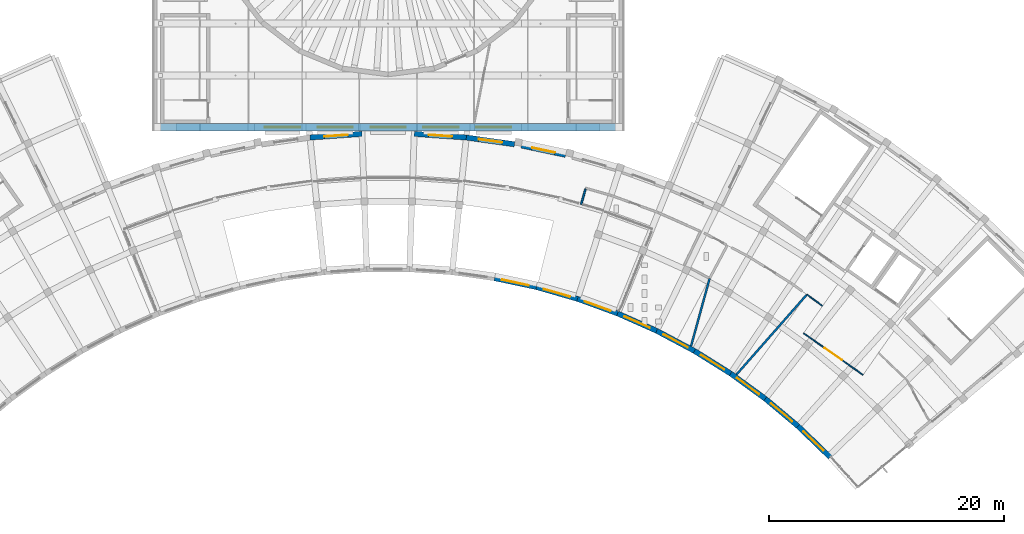
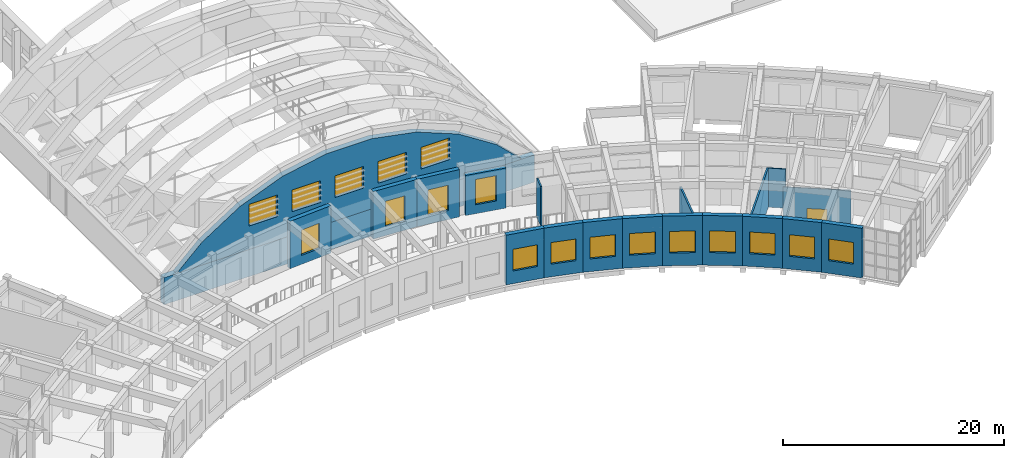
# One storey, part 62 of 94: 20 walls, 18 windows, 1 door, 19 openings.
"""IFC4 building model written with IfcOpenShell, lengths in metres."""

import ifcopenshell
import ifcopenshell.guid

model = None  # the IFC model being written
_history = None  # IfcOwnerHistory: only IFC2X3 demands one
_inside = {}  # id of a spatial element -> (the spatial element, [elements in it])
_under = {}  # id of a project, library or spatial element -> (it, [spatial elements below it])
_declared = {}  # id of a project -> (the project, [libraries it declares])
_typed = {}  # id of a type object -> (the type object, [elements of that type])
_made_of = {}  # id of a material, layer set ... -> (it, [elements and type objects made of it])


def new_model(schema):
    """Start an empty IFC model of exactly this schema.

    Asked for "IFC4X3", IfcOpenShell would pick the latest addendum, in which some entities
    have other attributes; the version numbers below select the first issue.
    IFC2X3 requires an IfcOwnerHistory on every rooted entity: one is made here for all.
    """
    global model, _history
    if schema == "IFC4X3":
        model = ifcopenshell.file(schema_version=(4, 3, 0, 0))
    else:
        model = ifcopenshell.file(schema=schema)
    _inside.clear()
    _under.clear()
    _declared.clear()
    _typed.clear()
    _made_of.clear()
    _history = None
    if model.schema == "IFC2X3":
        org = make("IfcOrganization", Name="unknown")
        user = make(
            "IfcPersonAndOrganization",
            ThePerson=make("IfcPerson", FamilyName="unknown"),
            TheOrganization=org,
        )
        app = make(
            "IfcApplication",
            ApplicationDeveloper=org,
            Version="unknown",
            ApplicationFullName="unknown",
            ApplicationIdentifier="unknown",
        )
        _history = make(
            "IfcOwnerHistory",
            OwningUser=user,
            OwningApplication=app,
            ChangeAction="ADDED",
            CreationDate=0,
        )
    return model


def make(cls, **values):
    """One entity of the class cls with the attributes given. An attribute that is None is left unset."""
    return model.create_entity(
        cls, **{name: value for name, value in values.items() if value is not None}
    )


def rooted(cls, **values):
    """An entity with a GlobalId (a new one), such as an element, a storey or a relation."""
    return make(cls, GlobalId=ifcopenshell.guid.new(), OwnerHistory=_history, **values)


def si_unit(unit_type, name, prefix=None):
    """IfcSIUnit, for example si_unit("LENGTHUNIT", "METRE", prefix="MILLI")."""
    return make("IfcSIUnit", UnitType=unit_type, Prefix=prefix, Name=name)


def assignment(units):
    """IfcUnitAssignment: the units of a project."""
    return None if units is None else make("IfcUnitAssignment", Units=units)


def point(xyz):
    """IfcCartesianPoint."""
    return None if xyz is None else make("IfcCartesianPoint", Coordinates=xyz)


def direction(xyz):
    """IfcDirection."""
    return None if xyz is None else make("IfcDirection", DirectionRatios=xyz)


def frame(location, z_axis=None, x_axis=None):
    """IfcAxis2Placement3D, a coordinate frame: its origin and axes. An axis left out is left unset."""
    return make(
        "IfcAxis2Placement3D",
        Location=point(location),
        Axis=direction(z_axis),
        RefDirection=direction(x_axis),
    )


def frame_2d(location, x_axis=None):
    """IfcAxis2Placement2D, a coordinate frame in the plane: its origin and x axis."""
    return make(
        "IfcAxis2Placement2D", Location=point(location), RefDirection=direction(x_axis)
    )


def origin():
    """The frame at (0, 0, 0) with its axes left unset."""
    return frame((0.0, 0.0, 0.0))


def place(relative_to, where):
    """IfcLocalPlacement: puts the frame where relative to a parent placement (None: the world)."""
    return make(
        "IfcLocalPlacement", PlacementRelTo=relative_to, RelativePlacement=where
    )


def context(
    kind, dimensions, precision=None, world=None, true_north=None, identifier=None
):
    """IfcGeometricRepresentationContext, for example the 3D "Model" context."""
    return make(
        "IfcGeometricRepresentationContext",
        ContextIdentifier=identifier,
        ContextType=kind,
        CoordinateSpaceDimension=dimensions,
        Precision=precision,
        WorldCoordinateSystem=world,
        TrueNorth=true_north,
    )


def subcontext(parent, identifier, kind, view, scale=None):
    """IfcGeometricRepresentationSubContext, for example "Body" below "Model"."""
    return make(
        "IfcGeometricRepresentationSubContext",
        ContextIdentifier=identifier,
        ContextType=kind,
        ParentContext=parent,
        TargetScale=scale,
        TargetView=view,
    )


def project(units=None, contexts=None):
    """IfcProject with its units and contexts."""
    return rooted(
        "IfcProject",
        Name="project",
        RepresentationContexts=contexts,
        UnitsInContext=assignment(units),
    )


def spatial(cls, under=None, at=None, **own):
    """A site, building, storey or space (cls), placed at a placement, below another one or the project."""
    s = rooted(cls, ObjectPlacement=at, **own)
    if under is not None:
        _under.setdefault(under.id(), (under, []))[1].append(s)
    return s


def polyline(points):
    """IfcPolyline through the points."""
    return make("IfcPolyline", Points=[point(p) for p in points])


def profile(cls, at=None, kind="AREA", **sizes):
    """A parametric profile (cls). Its sizes go by their IFC names, for example OverallWidth=200.0."""
    return make(cls, ProfileType=kind, Position=at, **sizes)


def rectangle(**sizes):
    """IfcRectangleProfileDef."""
    return profile("IfcRectangleProfileDef", **sizes)


def outline(outer, holes=None, kind="AREA"):
    """IfcArbitraryClosedProfileDef: a profile drawn as a closed curve; with holes, ...WithVoids."""
    if holes is None:
        return make("IfcArbitraryClosedProfileDef", ProfileType=kind, OuterCurve=outer)
    return make(
        "IfcArbitraryProfileDefWithVoids",
        ProfileType=kind,
        OuterCurve=outer,
        InnerCurves=holes,
    )


def extrude(swept, where, along, depth):
    """IfcExtrudedAreaSolid: the profile swept, set in the frame where, extruded along a direction by depth."""
    return make(
        "IfcExtrudedAreaSolid",
        SweptArea=swept,
        Position=where,
        ExtrudedDirection=direction(along),
        Depth=depth,
    )


def shape(context_of_items, identifier, shape_type, items):
    """IfcShapeRepresentation: the items that make up one representation, for example the "Body"."""
    return make(
        "IfcShapeRepresentation",
        ContextOfItems=context_of_items,
        RepresentationIdentifier=identifier,
        RepresentationType=shape_type,
        Items=items,
    )


def material(Name=None, Category=None):
    """IfcMaterial."""
    return make("IfcMaterial", Name=Name, Category=Category)


def layer(
    of_material, thickness, ventilated=None, Name=None, Category=None, Priority=None
):
    """IfcMaterialLayer: one layer of a wall or slab, of a material (None: an air gap)."""
    return make(
        "IfcMaterialLayer",
        Material=of_material,
        LayerThickness=thickness,
        IsVentilated=ventilated,
        Name=Name,
        Category=Category,
        Priority=Priority,
    )


def layer_set(layers, Name=None):
    """IfcMaterialLayerSet."""
    return make("IfcMaterialLayerSet", MaterialLayers=layers, LayerSetName=Name)


def made_of(thing, what):
    """Note that an element or type object is made of a material, layer set ...; save() writes the relation."""
    if what is not None:
        _made_of.setdefault(what.id(), (what, []))[1].append(thing)
    return thing


def type_object(cls, material=None, **own):
    """A type object (cls), such as IfcWallType, which elements share."""
    return made_of(rooted(cls, **own), material)


def element(
    cls,
    number,
    at=None,
    inside=None,
    cuts=None,
    type_object=None,
    material=None,
    context=None,
    identifier="Body",
    shape_type=None,
    held_by="IfcProductDefinitionShape",
    body=None,
    shapes=None,
    **own,
):
    """One element of the class cls, such as IfcWall. Its Tag is "e" and its number.

    at: its placement. inside: the storey or other place that contains it. cuts: it is an
    opening in that element (IfcRelVoidsElement). A single representation is given by context,
    identifier, shape_type and body (its items); several are given by shapes. held_by: the class
    of the entity that holds the representations. save() writes the other relations.
    """
    e = rooted(cls, Tag="e%d" % number, ObjectPlacement=at, **own)
    if body is not None:
        shapes = [shape(context, identifier, shape_type, body)]
    if shapes is not None:
        e.Representation = make(held_by, Representations=shapes)
    if inside is not None:
        _inside.setdefault(inside.id(), (inside, []))[1].append(e)
    if cuts is not None:
        rooted(
            "IfcRelVoidsElement", RelatingBuildingElement=cuts, RelatedOpeningElement=e
        )
    if type_object is not None:
        _typed.setdefault(type_object.id(), (type_object, []))[1].append(e)
    return made_of(e, material)


def fill(opening, filler):
    """IfcRelFillsElement: the door or window that sits in an opening."""
    return rooted(
        "IfcRelFillsElement",
        RelatingOpeningElement=opening,
        RelatedBuildingElement=filler,
    )


def aggregate(whole, parts):
    """IfcRelAggregates: a whole, such as a stair, and the parts it consists of."""
    return rooted("IfcRelAggregates", RelatingObject=whole, RelatedObjects=parts)


def save(model, path):
    """Write the relations noted so far, then the file.

    IfcRelAggregates (storeys below a building ...), IfcRelContainedInSpatialStructure (elements
    in a storey), IfcRelDefinesByType, IfcRelAssociatesMaterial and IfcRelDeclares: one each for
    every whole, place, type object, material and project.
    """
    for whole, parts in _under.values():
        aggregate(whole, parts)
    for where, things in _inside.values():
        rooted(
            "IfcRelContainedInSpatialStructure",
            RelatedElements=things,
            RelatingStructure=where,
        )
    for kind, things in _typed.values():
        rooted("IfcRelDefinesByType", RelatedObjects=things, RelatingType=kind)
    for what, things in _made_of.values():
        rooted("IfcRelAssociatesMaterial", RelatedObjects=things, RelatingMaterial=what)
    for by, libraries in _declared.values():
        rooted("IfcRelDeclares", RelatingContext=by, RelatedDefinitions=libraries)
    model.write(path)


model = new_model("IFC4")

# Units and contexts
model_context = context("Model", 3, precision=1e-05, world=origin(), true_north=direction((0.0, 1.0)))
body_context = subcontext(model_context, "Body", "Model", "MODEL_VIEW")
ifc_project = project(units=[si_unit("LENGTHUNIT", "METRE"), si_unit("AREAUNIT", "SQUARE_METRE"), si_unit("VOLUMEUNIT", "CUBIC_METRE"), si_unit("PLANEANGLEUNIT", "RADIAN"), si_unit("MASSUNIT", "GRAM", prefix="KILO")], contexts=[model_context])

# Site, building, storey
site_placement = place(None, origin())
site = spatial("IfcSite", under=ifc_project, at=site_placement, CompositionType="ELEMENT")
building_placement = place(site_placement, origin())
building = spatial("IfcBuilding", under=site, at=building_placement, Name="Lunette Opera House", CompositionType="ELEMENT")
storey_placement = place(building_placement, frame((0.0, 0.0, 22.5)))
storey = spatial("IfcBuildingStorey", under=building, at=storey_placement, Name="L04", CompositionType="ELEMENT", Elevation=22.5)

# Walls
ifc_material_1 = material(Name="Plastered clay blockwork", Category="masonry")
ifc_layer_1 = layer(ifc_material_1, 0.175048828125)
ifc_layer_set_1 = layer_set([ifc_layer_1], Name="Plastered clay blockwork")
wall_type_1 = type_object("IfcWallType", Name="ACOUSTIC BLOCK PARTITION 175", PredefinedType="PARTITIONING", material=ifc_layer_set_1)
wall_1_placement = place(storey_placement, frame((125.697021484375, 43.217041015625, 0.0), z_axis=(0.0, 0.0, 1.0), x_axis=(0.660652130462, 0.750692188927, 0.0)))
element("IfcWall", 1, at=wall_1_placement, inside=storey, type_object=wall_type_1, Name="Partition Restaurant Store", PredefinedType="PARTITIONING", context=body_context, shape_type="SweptSolid", body=[
    extrude(rectangle(XDim=9.08349609375, YDim=0.175048828125, at=frame_2d((4.541748046875, 0.0))), origin(), (0.0, 0.0, 1.0), 4.35009765625),
])
wall_2_placement = place(storey_placement, frame((123.408935546875, 51.4150390625, 0.0), z_axis=(0.0, 0.0, 1.0), x_axis=(-0.264341053294, -0.964429265184, 0.0)))
element("IfcWall", 2, at=wall_2_placement, inside=storey, type_object=wall_type_1, Name="Partition Restaurant Store", PredefinedType="PARTITIONING", context=body_context, shape_type="SweptSolid", body=[
    extrude(rectangle(XDim=5.9921875, YDim=0.175048828125, at=frame_2d((2.99609375, 0.0))), origin(), (0.0, 0.0, 1.0), 4.35009765625),
])

# Wall, opening, window
ifc_material_2 = material(Name="Clinker brick", Category="masonry")
ifc_layer_2 = layer(ifc_material_2, 0.449951171875)
ifc_layer_set_2 = layer_set([ifc_layer_2], Name="Clinker brick")
wall_type_2 = type_object("IfcWallType", Name="ARM REAR WALL 450", PredefinedType="SOLIDWALL", material=ifc_layer_set_2)
wall_3_placement = place(storey_placement, frame((111.133056640625, 61.944091796875, 0.0), z_axis=(0.0, 0.0, 1.0), x_axis=(-0.978200929598, 0.207660639826, 0.0)))
wall_3 = element("IfcWall", 3, at=wall_3_placement, inside=storey, type_object=wall_type_2, Name="Arm Rear Wall 450 F09 L04", PredefinedType="SOLIDWALL", context=body_context, shape_type="SweptSolid", body=[
    extrude(rectangle(XDim=3.8466796875, YDim=0.449951171875, at=frame_2d((1.92333984375, 0.0))), origin(), (0.0, 0.0, 1.0), 4.449951171875),
])
opening_1_placement = place(wall_3_placement, frame((0.924072265625, 0.0, 1.0)))
opening_1 = element("IfcOpeningElement", 4, at=opening_1_placement, cuts=wall_3, Name="Opening FC-N2199", PredefinedType="OPENING", context=body_context, shape_type="SweptSolid", body=[
    extrude(rectangle(XDim=2.0, YDim=2.800048828125, at=frame_2d((1.0, 1.39990234375))), frame((0.0, 0.237060546875, 0.0), z_axis=(0.0, -1.0, 0.0), x_axis=(1.0, 0.0, 0.0)), (0.0, 0.0, 1.0), 0.473876953125),
])
ifc_material_3 = material(Name="Aluminium", Category="aluminium")
window_type_1 = type_object("IfcWindowType", Name="ARM WINDOW 2000 X 2800", PartitioningType="DOUBLE_PANEL_VERTICAL", PredefinedType="WINDOW", material=ifc_material_3)
window_1_placement = place(opening_1_placement, origin())
window_1 = element("IfcWindow", 5, at=window_1_placement, inside=storey, type_object=window_type_1, Name="Arm Window 2000 X 2800 F09 L04", OverallHeight=2.800048828125, OverallWidth=2.0, PartitioningType="DOUBLE_PANEL_VERTICAL", PredefinedType="WINDOW", context=body_context, shape_type="SweptSolid", body=[
    extrude(rectangle(XDim=2.0, YDim=2.800048828125, at=frame_2d((1.0, 1.39990234375))), frame((0.0, 0.030029296875, 0.0), z_axis=(0.0, -1.0, 0.0), x_axis=(1.0, 0.0, 0.0)), (0.0, 0.0, 1.0), 0.06005859375),
])
fill(opening_1, window_1)

wall_4_placement = place(storey_placement, frame((106.77392578125, 62.847900390625, 0.0), z_axis=(0.0, 0.0, 1.0), x_axis=(-0.990274070761, 0.13913038769, 0.0)))
wall_4 = element("IfcWall", 6, at=wall_4_placement, inside=storey, type_object=wall_type_2, Name="Arm Rear Wall 450 F10 L04", PredefinedType="SOLIDWALL", context=body_context, shape_type="SweptSolid", body=[
    extrude(rectangle(XDim=4.148193359375, YDim=0.449951171875, at=frame_2d((2.07421875, 0.0))), origin(), (0.0, 0.0, 1.0), 5.25),
])
opening_2_placement = place(wall_4_placement, frame((1.073974609375, 0.0, 1.0)))
opening_2 = element("IfcOpeningElement", 7, at=opening_2_placement, cuts=wall_4, Name="Opening FC-N2200", PredefinedType="OPENING", context=body_context, shape_type="SweptSolid", body=[
    extrude(rectangle(XDim=2.0, YDim=2.800048828125, at=frame_2d((1.0, 1.39990234375))), frame((0.0, 0.237060546875, 0.0), z_axis=(0.0, -1.0, 0.0), x_axis=(1.0, 0.0, 0.0)), (0.0, 0.0, 1.0), 0.473876953125),
])
window_2_placement = place(opening_2_placement, origin())
window_2 = element("IfcWindow", 8, at=window_2_placement, inside=storey, type_object=window_type_1, Name="Arm Window 2000 X 2800 F10 L04", OverallHeight=2.800048828125, OverallWidth=2.0, PartitioningType="DOUBLE_PANEL_VERTICAL", PredefinedType="WINDOW", context=body_context, shape_type="SweptSolid", body=[
    extrude(rectangle(XDim=2.0, YDim=2.800048828125, at=frame_2d((1.0, 1.39990234375))), frame((0.0, 0.030029296875, 0.0), z_axis=(0.0, -1.0, 0.0), x_axis=(1.0, 0.0, 0.0)), (0.0, 0.0, 1.0), 0.06005859375),
])
fill(opening_2, window_2)

wall_5_placement = place(storey_placement, frame((102.666015625, 63.425048828125, 0.0), z_axis=(0.0, 0.0, 1.0), x_axis=(-0.997555221145, 0.069882621343, 0.0)))
wall_5 = element("IfcWall", 9, at=wall_5_placement, inside=storey, type_object=wall_type_2, Name="Arm Rear Wall 450 F11 L04", PredefinedType="SOLIDWALL", context=body_context, shape_type="SweptSolid", body=[
    extrude(rectangle(XDim=4.450927734375, YDim=0.449951171875, at=frame_2d((2.2255859375, 0.0))), origin(), (0.0, 0.0, 1.0), 5.25),
])
opening_3_placement = place(wall_5_placement, frame((1.22509765625, 0.0, 1.0)))
opening_3 = element("IfcOpeningElement", 10, at=opening_3_placement, cuts=wall_5, Name="Opening FC-N2201", PredefinedType="OPENING", context=body_context, shape_type="SweptSolid", body=[
    extrude(rectangle(XDim=2.0, YDim=2.800048828125, at=frame_2d((1.0, 1.39990234375))), frame((0.0, 0.237060546875, 0.0), z_axis=(0.0, -1.0, 0.0), x_axis=(1.0, 0.0, 0.0)), (0.0, 0.0, 1.0), 0.473876953125),
])
window_3_placement = place(opening_3_placement, origin())
window_3 = element("IfcWindow", 11, at=window_3_placement, inside=storey, type_object=window_type_1, Name="Arm Window 2000 X 2800 F11 L04", OverallHeight=2.800048828125, OverallWidth=2.0, PartitioningType="DOUBLE_PANEL_VERTICAL", PredefinedType="WINDOW", context=body_context, shape_type="SweptSolid", body=[
    extrude(rectangle(XDim=2.0, YDim=2.800048828125, at=frame_2d((1.0, 1.39990234375))), frame((0.0, 0.030029296875, 0.0), z_axis=(0.0, -1.0, 0.0), x_axis=(1.0, 0.0, 0.0)), (0.0, 0.0, 1.0), 0.06005859375),
])
fill(opening_3, window_3)

wall_6_placement = place(storey_placement, frame((93.77392578125, 63.736083984375, 0.0), z_axis=(0.0, 0.0, 1.0), x_axis=(-0.997555221145, -0.069882621343, 0.0)))
wall_6 = element("IfcWall", 12, at=wall_6_placement, inside=storey, type_object=wall_type_2, Name="Arm Rear Wall 450 F12 L04", PredefinedType="SOLIDWALL", context=body_context, shape_type="SweptSolid", body=[
    extrude(rectangle(XDim=4.450927734375, YDim=0.449951171875, at=frame_2d((2.2255859375, 0.0))), origin(), (0.0, 0.0, 1.0), 5.25),
])
opening_4_placement = place(wall_6_placement, frame((1.22509765625, 0.0, 1.0)))
opening_4 = element("IfcOpeningElement", 13, at=opening_4_placement, cuts=wall_6, Name="Opening FC-N2202", PredefinedType="OPENING", context=body_context, shape_type="SweptSolid", body=[
    extrude(rectangle(XDim=2.0, YDim=2.800048828125, at=frame_2d((1.0, 1.39990234375))), frame((0.0, 0.237060546875, 0.0), z_axis=(0.0, -1.0, 0.0), x_axis=(1.0, 0.0, 0.0)), (0.0, 0.0, 1.0), 0.473876953125),
])
window_4_placement = place(opening_4_placement, origin())
window_4 = element("IfcWindow", 14, at=window_4_placement, inside=storey, type_object=window_type_1, Name="Arm Window 2000 X 2800 F12 L04", OverallHeight=2.800048828125, OverallWidth=2.0, PartitioningType="DOUBLE_PANEL_VERTICAL", PredefinedType="WINDOW", context=body_context, shape_type="SweptSolid", body=[
    extrude(rectangle(XDim=2.0, YDim=2.800048828125, at=frame_2d((1.0, 1.39990234375))), frame((0.0, 0.030029296875, 0.0), z_axis=(0.0, -1.0, 0.0), x_axis=(1.0, 0.0, 0.0)), (0.0, 0.0, 1.0), 0.06005859375),
])
fill(opening_4, window_4)

# Wall
ifc_material_4 = material(Name="Plastered clay blockwork", Category="masonry")
ifc_layer_3 = layer(ifc_material_4, 0.14990234375)
ifc_layer_set_3 = layer_set([ifc_layer_3], Name="Plastered clay blockwork")
wall_type_3 = type_object("IfcWallType", Name="BLOCK PARTITION 150", PredefinedType="PARTITIONING", material=ifc_layer_set_3)
wall_7_placement = place(storey_placement, frame((112.826904296875, 59.034912109375, 0.0), z_axis=(0.0, 0.0, 1.0), x_axis=(-0.273969155997, -0.961738478778, 0.0)))
element("IfcWall", 15, at=wall_7_placement, inside=storey, type_object=wall_type_3, Name="Partition Public WC L04", PredefinedType="PARTITIONING", context=body_context, shape_type="SweptSolid", body=[
    extrude(rectangle(XDim=1.372314453125, YDim=0.14990234375, at=frame_2d((0.68603515625, 0.0))), origin(), (0.0, 0.0, 1.0), 4.35009765625),
])

# Wall, opening, window
ifc_material_5 = material(Name="Clinker brick", Category="masonry")
ifc_layer_4 = layer(ifc_material_5, 0.449951171875)
ifc_layer_set_4 = layer_set([ifc_layer_4], Name="Clinker brick")
wall_type_4 = type_object("IfcWallType", Name="CRESCENT BRICK WALL 450", PredefinedType="SOLIDWALL", material=ifc_layer_set_4)
wall_8_placement = place(storey_placement, frame((105.069091796875, 51.431884765625, 0.0), z_axis=(0.0, 0.0, 1.0), x_axis=(0.97814420729, -0.207927655077, 0.0)))
wall_8 = element("IfcWall", 16, at=wall_8_placement, inside=storey, type_object=wall_type_4, Name="Crescent Brick Wall 450 BW-A15 L04", PredefinedType="SOLIDWALL", context=body_context, shape_type="SweptSolid", body=[
    extrude(rectangle(XDim=3.64453125, YDim=0.449951171875, at=frame_2d((1.822265625, 0.0))), origin(), (0.0, 0.0, 1.0), 5.5),
])
opening_5_placement = place(wall_8_placement, frame((0.653076171875, 0.0, 1.39990234375)))
opening_5 = element("IfcOpeningElement", 17, at=opening_5_placement, cuts=wall_8, Name="Opening FC-N2045", PredefinedType="OPENING", context=body_context, shape_type="SweptSolid", body=[
    extrude(rectangle(XDim=2.340087890625, YDim=2.39990234375, at=frame_2d((1.169921875, 1.199951171875))), frame((0.0, 0.237060546875, 0.0), z_axis=(0.0, -1.0, 0.0), x_axis=(1.0, 0.0, 0.0)), (0.0, 0.0, 1.0), 0.473876953125),
])
ifc_material_6 = material(Name="Aluminium", Category="aluminium")
window_type_2 = type_object("IfcWindowType", Name="CHICAGO WINDOW 2340 X 2400", PartitioningType="TRIPLE_PANEL_VERTICAL", PredefinedType="WINDOW", material=ifc_material_6)
window_5_placement = place(opening_5_placement, origin())
window_5 = element("IfcWindow", 18, at=window_5_placement, inside=storey, type_object=window_type_2, Name="Chicago Window 2340 X 2400 BW-A15 L04", OverallHeight=2.39990234375, OverallWidth=2.340087890625, PartitioningType="TRIPLE_PANEL_VERTICAL", PredefinedType="WINDOW", context=body_context, shape_type="SweptSolid", body=[
    extrude(rectangle(XDim=2.340087890625, YDim=2.39990234375, at=frame_2d((1.169921875, 1.199951171875))), frame((0.0, 0.030029296875, 0.0), z_axis=(0.0, -1.0, 0.0), x_axis=(1.0, 0.0, 0.0)), (0.0, 0.0, 1.0), 0.06005859375),
])
fill(opening_5, window_5)

wall_9_placement = place(storey_placement, frame((108.634033203125, 50.674072265625, 0.0), z_axis=(0.0, 0.0, 1.0), x_axis=(0.961232761004, -0.275738243942, 0.0)))
wall_9 = element("IfcWall", 19, at=wall_9_placement, inside=storey, type_object=wall_type_4, Name="Crescent Brick Wall 450 BW-A16 L04", PredefinedType="SOLIDWALL", context=body_context, shape_type="SweptSolid", body=[
    extrude(rectangle(XDim=3.645263671875, YDim=0.449951171875, at=frame_2d((1.82275390625, 0.0))), origin(), (0.0, 0.0, 1.0), 5.5),
])
opening_6_placement = place(wall_9_placement, frame((0.653076171875, 0.0, 1.39990234375)))
opening_6 = element("IfcOpeningElement", 20, at=opening_6_placement, cuts=wall_9, Name="Opening FC-N2048", PredefinedType="OPENING", context=body_context, shape_type="SweptSolid", body=[
    extrude(rectangle(XDim=2.340087890625, YDim=2.39990234375, at=frame_2d((1.169921875, 1.199951171875))), frame((0.0, 0.237060546875, 0.0), z_axis=(0.0, -1.0, 0.0), x_axis=(1.0, 0.0, 0.0)), (0.0, 0.0, 1.0), 0.473876953125),
])
window_6_placement = place(opening_6_placement, origin())
window_6 = element("IfcWindow", 21, at=window_6_placement, inside=storey, type_object=window_type_2, Name="Chicago Window 2340 X 2400 BW-A16 L04", OverallHeight=2.39990234375, OverallWidth=2.340087890625, PartitioningType="TRIPLE_PANEL_VERTICAL", PredefinedType="WINDOW", context=body_context, shape_type="SweptSolid", body=[
    extrude(rectangle(XDim=2.340087890625, YDim=2.39990234375, at=frame_2d((1.169921875, 1.199951171875))), frame((0.0, 0.030029296875, 0.0), z_axis=(0.0, -1.0, 0.0), x_axis=(1.0, 0.0, 0.0)), (0.0, 0.0, 1.0), 0.06005859375),
])
fill(opening_6, window_6)

wall_10_placement = place(storey_placement, frame((112.137939453125, 49.6689453125, 0.0), z_axis=(0.0, 0.0, 1.0), x_axis=(0.939705410483, -0.341985001877, 0.0)))
wall_10 = element("IfcWall", 22, at=wall_10_placement, inside=storey, type_object=wall_type_4, Name="Crescent Brick Wall 450 BW-A17 L04", PredefinedType="SOLIDWALL", context=body_context, shape_type="SweptSolid", body=[
    extrude(rectangle(XDim=3.645751953125, YDim=0.449951171875, at=frame_2d((1.82275390625, 0.0))), origin(), (0.0, 0.0, 1.0), 5.5),
])
opening_7_placement = place(wall_10_placement, frame((0.653076171875, 0.0, 1.39990234375)))
opening_7 = element("IfcOpeningElement", 23, at=opening_7_placement, cuts=wall_10, Name="Opening FC-N2051", PredefinedType="OPENING", context=body_context, shape_type="SweptSolid", body=[
    extrude(rectangle(XDim=2.340087890625, YDim=2.39990234375, at=frame_2d((1.169921875, 1.199951171875))), frame((0.0, 0.237060546875, 0.0), z_axis=(0.0, -1.0, 0.0), x_axis=(1.0, 0.0, 0.0)), (0.0, 0.0, 1.0), 0.473876953125),
])
window_7_placement = place(opening_7_placement, origin())
window_7 = element("IfcWindow", 24, at=window_7_placement, inside=storey, type_object=window_type_2, Name="Chicago Window 2340 X 2400 BW-A17 L04", OverallHeight=2.39990234375, OverallWidth=2.340087890625, PartitioningType="TRIPLE_PANEL_VERTICAL", PredefinedType="WINDOW", context=body_context, shape_type="SweptSolid", body=[
    extrude(rectangle(XDim=2.340087890625, YDim=2.39990234375, at=frame_2d((1.169921875, 1.199951171875))), frame((0.0, 0.030029296875, 0.0), z_axis=(0.0, -1.0, 0.0), x_axis=(1.0, 0.0, 0.0)), (0.0, 0.0, 1.0), 0.06005859375),
])
fill(opening_7, window_7)

wall_11_placement = place(storey_placement, frame((115.56396484375, 48.422119140625, 0.0), z_axis=(0.0, 0.0, 1.0), x_axis=(0.913593217191, -0.40662935642, 0.0)))
wall_11 = element("IfcWall", 25, at=wall_11_placement, inside=storey, type_object=wall_type_4, Name="Crescent Brick Wall 450 BW-A18 L04", PredefinedType="SOLIDWALL", context=body_context, shape_type="SweptSolid", body=[
    extrude(rectangle(XDim=3.64501953125, YDim=0.449951171875, at=frame_2d((1.822509765625, 0.0))), origin(), (0.0, 0.0, 1.0), 5.5),
])
opening_8_placement = place(wall_11_placement, frame((0.653076171875, 0.0, 1.39990234375)))
opening_8 = element("IfcOpeningElement", 26, at=opening_8_placement, cuts=wall_11, Name="Opening FC-N2054", PredefinedType="OPENING", context=body_context, shape_type="SweptSolid", body=[
    extrude(rectangle(XDim=2.340087890625, YDim=2.39990234375, at=frame_2d((1.169921875, 1.199951171875))), frame((0.0, 0.237060546875, 0.0), z_axis=(0.0, -1.0, 0.0), x_axis=(1.0, 0.0, 0.0)), (0.0, 0.0, 1.0), 0.473876953125),
])
window_8_placement = place(opening_8_placement, origin())
window_8 = element("IfcWindow", 27, at=window_8_placement, inside=storey, type_object=window_type_2, Name="Chicago Window 2340 X 2400 BW-A18 L04", OverallHeight=2.39990234375, OverallWidth=2.340087890625, PartitioningType="TRIPLE_PANEL_VERTICAL", PredefinedType="WINDOW", context=body_context, shape_type="SweptSolid", body=[
    extrude(rectangle(XDim=2.340087890625, YDim=2.39990234375, at=frame_2d((1.169921875, 1.199951171875))), frame((0.0, 0.030029296875, 0.0), z_axis=(0.0, -1.0, 0.0), x_axis=(1.0, 0.0, 0.0)), (0.0, 0.0, 1.0), 0.06005859375),
])
fill(opening_8, window_8)

wall_12_placement = place(storey_placement, frame((118.89404296875, 46.93994140625, 0.0), z_axis=(0.0, 0.0, 1.0), x_axis=(0.882849344925, -0.469656293651, 0.0)))
wall_12 = element("IfcWall", 28, at=wall_12_placement, inside=storey, type_object=wall_type_4, Name="Crescent Brick Wall 450 BW-A19 L04", PredefinedType="SOLIDWALL", context=body_context, shape_type="SweptSolid", body=[
    extrude(rectangle(XDim=3.64501953125, YDim=0.449951171875, at=frame_2d((1.822509765625, 0.0))), origin(), (0.0, 0.0, 1.0), 5.5),
])
opening_9_placement = place(wall_12_placement, frame((0.653076171875, 0.0, 1.39990234375)))
opening_9 = element("IfcOpeningElement", 29, at=opening_9_placement, cuts=wall_12, Name="Opening FC-N2057", PredefinedType="OPENING", context=body_context, shape_type="SweptSolid", body=[
    extrude(rectangle(XDim=2.340087890625, YDim=2.39990234375, at=frame_2d((1.169921875, 1.199951171875))), frame((0.0, 0.237060546875, 0.0), z_axis=(0.0, -1.0, 0.0), x_axis=(1.0, 0.0, 0.0)), (0.0, 0.0, 1.0), 0.473876953125),
])
window_9_placement = place(opening_9_placement, origin())
window_9 = element("IfcWindow", 30, at=window_9_placement, inside=storey, type_object=window_type_2, Name="Chicago Window 2340 X 2400 BW-A19 L04", OverallHeight=2.39990234375, OverallWidth=2.340087890625, PartitioningType="TRIPLE_PANEL_VERTICAL", PredefinedType="WINDOW", context=body_context, shape_type="SweptSolid", body=[
    extrude(rectangle(XDim=2.340087890625, YDim=2.39990234375, at=frame_2d((1.169921875, 1.199951171875))), frame((0.0, 0.030029296875, 0.0), z_axis=(0.0, -1.0, 0.0), x_axis=(1.0, 0.0, 0.0)), (0.0, 0.0, 1.0), 0.06005859375),
])
fill(opening_9, window_9)

wall_13_placement = place(storey_placement, frame((122.112060546875, 45.22802734375, 0.0), z_axis=(0.0, 0.0, 1.0), x_axis=(0.848047203697, -0.529920692464, 0.0)))
wall_13 = element("IfcWall", 31, at=wall_13_placement, inside=storey, type_object=wall_type_4, Name="Crescent Brick Wall 450 BW-A20 L04", PredefinedType="SOLIDWALL", context=body_context, shape_type="SweptSolid", body=[
    extrude(rectangle(XDim=3.64599609375, YDim=0.449951171875, at=frame_2d((1.822998046875, 0.0))), origin(), (0.0, 0.0, 1.0), 5.5),
])
opening_10_placement = place(wall_13_placement, frame((0.653076171875, 0.0, 1.39990234375)))
opening_10 = element("IfcOpeningElement", 32, at=opening_10_placement, cuts=wall_13, Name="Opening FC-N2060", PredefinedType="OPENING", context=body_context, shape_type="SweptSolid", body=[
    extrude(rectangle(XDim=2.340087890625, YDim=2.39990234375, at=frame_2d((1.169921875, 1.199951171875))), frame((0.0, 0.237060546875, 0.0), z_axis=(0.0, -1.0, 0.0), x_axis=(1.0, 0.0, 0.0)), (0.0, 0.0, 1.0), 0.473876953125),
])
window_10_placement = place(opening_10_placement, origin())
window_10 = element("IfcWindow", 33, at=window_10_placement, inside=storey, type_object=window_type_2, Name="Chicago Window 2340 X 2400 BW-A20 L04", OverallHeight=2.39990234375, OverallWidth=2.340087890625, PartitioningType="TRIPLE_PANEL_VERTICAL", PredefinedType="WINDOW", context=body_context, shape_type="SweptSolid", body=[
    extrude(rectangle(XDim=2.340087890625, YDim=2.39990234375, at=frame_2d((1.169921875, 1.199951171875))), frame((0.0, 0.030029296875, 0.0), z_axis=(0.0, -1.0, 0.0), x_axis=(1.0, 0.0, 0.0)), (0.0, 0.0, 1.0), 0.06005859375),
])
fill(opening_10, window_10)

wall_14_placement = place(storey_placement, frame((125.2041015625, 43.2958984375, 0.0), z_axis=(0.0, 0.0, 1.0), x_axis=(0.809109587744, -0.58765778734, 0.0)))
wall_14 = element("IfcWall", 34, at=wall_14_placement, inside=storey, type_object=wall_type_4, Name="Crescent Brick Wall 450 BW-A21 L04", PredefinedType="SOLIDWALL", context=body_context, shape_type="SweptSolid", body=[
    extrude(rectangle(XDim=3.644775390625, YDim=0.449951171875, at=frame_2d((1.822265625, 0.0))), origin(), (0.0, 0.0, 1.0), 5.5),
])
opening_11_placement = place(wall_14_placement, frame((0.653076171875, 0.0, 1.39990234375)))
opening_11 = element("IfcOpeningElement", 35, at=opening_11_placement, cuts=wall_14, Name="Opening FC-N2063", PredefinedType="OPENING", context=body_context, shape_type="SweptSolid", body=[
    extrude(rectangle(XDim=2.340087890625, YDim=2.39990234375, at=frame_2d((1.169921875, 1.199951171875))), frame((0.0, 0.237060546875, 0.0), z_axis=(0.0, -1.0, 0.0), x_axis=(1.0, 0.0, 0.0)), (0.0, 0.0, 1.0), 0.473876953125),
])
window_11_placement = place(opening_11_placement, origin())
window_11 = element("IfcWindow", 36, at=window_11_placement, inside=storey, type_object=window_type_2, Name="Chicago Window 2340 X 2400 BW-A21 L04", OverallHeight=2.39990234375, OverallWidth=2.340087890625, PartitioningType="TRIPLE_PANEL_VERTICAL", PredefinedType="WINDOW", context=body_context, shape_type="SweptSolid", body=[
    extrude(rectangle(XDim=2.340087890625, YDim=2.39990234375, at=frame_2d((1.169921875, 1.199951171875))), frame((0.0, 0.030029296875, 0.0), z_axis=(0.0, -1.0, 0.0), x_axis=(1.0, 0.0, 0.0)), (0.0, 0.0, 1.0), 0.06005859375),
])
fill(opening_11, window_11)

wall_15_placement = place(storey_placement, frame((128.153076171875, 41.154052734375, 0.0), z_axis=(0.0, 0.0, 1.0), x_axis=(0.766009592259, -0.642829141038, 0.0)))
wall_15 = element("IfcWall", 37, at=wall_15_placement, inside=storey, type_object=wall_type_4, Name="Crescent Brick Wall 450 BW-A22 L04", PredefinedType="SOLIDWALL", context=body_context, shape_type="SweptSolid", body=[
    extrude(rectangle(XDim=3.644775390625, YDim=0.449951171875, at=frame_2d((1.822265625, 0.0))), origin(), (0.0, 0.0, 1.0), 5.5),
])
opening_12_placement = place(wall_15_placement, frame((0.653076171875, 0.0, 1.39990234375)))
opening_12 = element("IfcOpeningElement", 38, at=opening_12_placement, cuts=wall_15, Name="Opening FC-N2066", PredefinedType="OPENING", context=body_context, shape_type="SweptSolid", body=[
    extrude(rectangle(XDim=2.340087890625, YDim=2.39990234375, at=frame_2d((1.169921875, 1.199951171875))), frame((0.0, 0.237060546875, 0.0), z_axis=(0.0, -1.0, 0.0), x_axis=(1.0, 0.0, 0.0)), (0.0, 0.0, 1.0), 0.473876953125),
])
window_12_placement = place(opening_12_placement, origin())
window_12 = element("IfcWindow", 39, at=window_12_placement, inside=storey, type_object=window_type_2, Name="Chicago Window 2340 X 2400 BW-A22 L04", OverallHeight=2.39990234375, OverallWidth=2.340087890625, PartitioningType="TRIPLE_PANEL_VERTICAL", PredefinedType="WINDOW", context=body_context, shape_type="SweptSolid", body=[
    extrude(rectangle(XDim=2.340087890625, YDim=2.39990234375, at=frame_2d((1.169921875, 1.199951171875))), frame((0.0, 0.030029296875, 0.0), z_axis=(0.0, -1.0, 0.0), x_axis=(1.0, 0.0, 0.0)), (0.0, 0.0, 1.0), 0.06005859375),
])
fill(opening_12, window_12)

wall_16_placement = place(storey_placement, frame((130.945068359375, 38.81103515625, 0.0), z_axis=(0.0, 0.0, 1.0), x_axis=(0.719395911917, -0.694600260522, 0.0)))
wall_16 = element("IfcWall", 40, at=wall_16_placement, inside=storey, type_object=wall_type_4, Name="Crescent Brick Wall 450 BW-A23 L04", PredefinedType="SOLIDWALL", context=body_context, shape_type="SweptSolid", body=[
    extrude(rectangle(XDim=3.790771484375, YDim=0.449951171875, at=frame_2d((1.8955078125, 0.0))), origin(), (0.0, 0.0, 1.0), 5.5),
])
opening_13_placement = place(wall_16_placement, frame((0.653076171875, 0.0, 1.39990234375)))
opening_13 = element("IfcOpeningElement", 41, at=opening_13_placement, cuts=wall_16, Name="Opening FC-N2069", PredefinedType="OPENING", context=body_context, shape_type="SweptSolid", body=[
    extrude(rectangle(XDim=2.340087890625, YDim=2.39990234375, at=frame_2d((1.169921875, 1.199951171875))), frame((0.0, 0.237060546875, 0.0), z_axis=(0.0, -1.0, 0.0), x_axis=(1.0, 0.0, 0.0)), (0.0, 0.0, 1.0), 0.473876953125),
])
window_13_placement = place(opening_13_placement, origin())
window_13 = element("IfcWindow", 42, at=window_13_placement, inside=storey, type_object=window_type_2, Name="Chicago Window 2340 X 2400 BW-A23 L04", OverallHeight=2.39990234375, OverallWidth=2.340087890625, PartitioningType="TRIPLE_PANEL_VERTICAL", PredefinedType="WINDOW", context=body_context, shape_type="SweptSolid", body=[
    extrude(rectangle(XDim=2.340087890625, YDim=2.39990234375, at=frame_2d((1.169921875, 1.199951171875))), frame((0.0, 0.030029296875, 0.0), z_axis=(0.0, -1.0, 0.0), x_axis=(1.0, 0.0, 0.0)), (0.0, 0.0, 1.0), 0.06005859375),
])
fill(opening_13, window_13)

# Wall
ifc_material_7 = material(Name="Concrete C35/45", Category="concrete")
ifc_layer_5 = layer(ifc_material_7, 0.60009765625)
ifc_layer_set_5 = layer_set([ifc_layer_5], Name="Concrete C35/45")
wall_type_5 = type_object("IfcWallType", Name="RC WALL 600", PredefinedType="SHEAR", material=ifc_layer_set_5)
wall_17_placement = place(storey_placement, frame((76.60009765625, 64.300048828125, 0.0), z_axis=(0.0, 0.0, 1.0), x_axis=(1.0, 0.0, 0.0)))
element("IfcWall", 43, at=wall_17_placement, inside=storey, type_object=wall_type_5, Name="wall-AU-L04-WS", PredefinedType="SHEAR", context=body_context, shape_type="SweptSolid", body=[
    extrude(rectangle(XDim=38.7998046875, YDim=0.60009765625, at=frame_2d((19.39990234375, 0.0))), origin(), (0.0, 0.0, 1.0), 3.0),
])

# Wall, openings, windows
wall_18_placement = place(storey_placement, frame((76.0, 64.300048828125, 3.0), z_axis=(0.0, 0.0, 1.0), x_axis=(1.0, 0.0, 0.0)))
wall_18 = element("IfcWall", 44, at=wall_18_placement, inside=storey, type_object=wall_type_5, Name="wall-AU-L04-TYS", PredefinedType="SHEAR", context=body_context, shape_type="SweptSolid", body=[
    extrude(outline(polyline([(0.0, 0.0), (40.0, 0.0), (40.0, 0.0), (38.080078125, 0.0), (35.419921875, 2.5380859375), (31.429931640625, 5.10302734375), (27.027099609375, 6.865966796875), (22.37109375, 7.763916015625), (17.62890625, 7.763916015625), (12.972900390625, 6.865966796875), (8.570068359375, 5.10302734375), (4.580078125, 2.5380859375), (1.919921875, 0.0), (0.0, 0.0), (0.0, 0.0)])), frame((0.0, 0.300048828125, 0.0), z_axis=(0.0, -1.0, 0.0), x_axis=(1.0, 0.0, 0.0)), (0.0, 0.0, 1.0), 0.60009765625),
])
opening_14_placement = place(wall_18_placement, frame((9.5, 0.0, 2.60009765625)))
opening_14 = element("IfcOpeningElement", 45, at=opening_14_placement, cuts=wall_18, Name="Opening AU-N2013", PredefinedType="OPENING", context=body_context, shape_type="SweptSolid", body=[
    extrude(rectangle(XDim=3.0, YDim=2.39990234375, at=frame_2d((1.5, 1.199951171875))), frame((0.0, 0.31201171875, 0.0), z_axis=(0.0, -1.0, 0.0), x_axis=(1.0, 0.0, 0.0)), (0.0, 0.0, 1.0), 0.6240234375),
])
opening_15_placement = place(wall_18_placement, frame((14.0, 0.0, 2.60009765625)))
opening_15 = element("IfcOpeningElement", 46, at=opening_15_placement, cuts=wall_18, Name="Opening AU-N2014", PredefinedType="OPENING", context=body_context, shape_type="SweptSolid", body=[
    extrude(rectangle(XDim=3.0, YDim=2.39990234375, at=frame_2d((1.5, 1.199951171875))), frame((0.0, 0.31201171875, 0.0), z_axis=(0.0, -1.0, 0.0), x_axis=(1.0, 0.0, 0.0)), (0.0, 0.0, 1.0), 0.6240234375),
])
opening_16_placement = place(wall_18_placement, frame((18.5, 0.0, 2.60009765625)))
opening_16 = element("IfcOpeningElement", 47, at=opening_16_placement, cuts=wall_18, Name="Opening AU-N2015", PredefinedType="OPENING", context=body_context, shape_type="SweptSolid", body=[
    extrude(rectangle(XDim=3.0, YDim=2.39990234375, at=frame_2d((1.5, 1.199951171875))), frame((0.0, 0.31201171875, 0.0), z_axis=(0.0, -1.0, 0.0), x_axis=(1.0, 0.0, 0.0)), (0.0, 0.0, 1.0), 0.6240234375),
])
opening_17_placement = place(wall_18_placement, frame((23.0, 0.0, 2.60009765625)))
opening_17 = element("IfcOpeningElement", 48, at=opening_17_placement, cuts=wall_18, Name="Opening AU-N2016", PredefinedType="OPENING", context=body_context, shape_type="SweptSolid", body=[
    extrude(rectangle(XDim=3.0, YDim=2.39990234375, at=frame_2d((1.5, 1.199951171875))), frame((0.0, 0.31201171875, 0.0), z_axis=(0.0, -1.0, 0.0), x_axis=(1.0, 0.0, 0.0)), (0.0, 0.0, 1.0), 0.6240234375),
])
opening_18_placement = place(wall_18_placement, frame((27.5, 0.0, 2.60009765625)))
opening_18 = element("IfcOpeningElement", 49, at=opening_18_placement, cuts=wall_18, Name="Opening AU-N2017", PredefinedType="OPENING", context=body_context, shape_type="SweptSolid", body=[
    extrude(rectangle(XDim=3.0, YDim=2.39990234375, at=frame_2d((1.5, 1.199951171875))), frame((0.0, 0.31201171875, 0.0), z_axis=(0.0, -1.0, 0.0), x_axis=(1.0, 0.0, 0.0)), (0.0, 0.0, 1.0), 0.6240234375),
])
ifc_material_8 = material(Name="Aluminium", Category="aluminium")
window_type_3 = type_object("IfcWindowType", Name="CLERESTORY WINDOW 3000 X 2400", PartitioningType="SINGLE_PANEL", PredefinedType="WINDOW", material=ifc_material_8)
window_14_placement = place(opening_14_placement, origin())
window_14 = element("IfcWindow", 50, at=window_14_placement, inside=storey, type_object=window_type_3, Name="Clerestory Window 3000 X 2400 CL1 L04", OverallHeight=2.39990234375, OverallWidth=3.0, PartitioningType="SINGLE_PANEL", PredefinedType="WINDOW", context=body_context, shape_type="SweptSolid", body=[
    extrude(rectangle(XDim=3.0, YDim=2.39990234375, at=frame_2d((1.5, 1.199951171875))), frame((0.0, 0.030029296875, 0.0), z_axis=(0.0, -1.0, 0.0), x_axis=(1.0, 0.0, 0.0)), (0.0, 0.0, 1.0), 0.06005859375),
])
fill(opening_14, window_14)
window_15_placement = place(opening_15_placement, origin())
window_15 = element("IfcWindow", 51, at=window_15_placement, inside=storey, type_object=window_type_3, Name="Clerestory Window 3000 X 2400 CL2 L04", OverallHeight=2.39990234375, OverallWidth=3.0, PartitioningType="SINGLE_PANEL", PredefinedType="WINDOW", context=body_context, shape_type="SweptSolid", body=[
    extrude(rectangle(XDim=3.0, YDim=2.39990234375, at=frame_2d((1.5, 1.199951171875))), frame((0.0, 0.030029296875, 0.0), z_axis=(0.0, -1.0, 0.0), x_axis=(1.0, 0.0, 0.0)), (0.0, 0.0, 1.0), 0.06005859375),
])
fill(opening_15, window_15)
window_16_placement = place(opening_16_placement, origin())
window_16 = element("IfcWindow", 52, at=window_16_placement, inside=storey, type_object=window_type_3, Name="Clerestory Window 3000 X 2400 CL3 L04", OverallHeight=2.39990234375, OverallWidth=3.0, PartitioningType="SINGLE_PANEL", PredefinedType="WINDOW", context=body_context, shape_type="SweptSolid", body=[
    extrude(rectangle(XDim=3.0, YDim=2.39990234375, at=frame_2d((1.5, 1.199951171875))), frame((0.0, 0.030029296875, 0.0), z_axis=(0.0, -1.0, 0.0), x_axis=(1.0, 0.0, 0.0)), (0.0, 0.0, 1.0), 0.06005859375),
])
fill(opening_16, window_16)
window_17_placement = place(opening_17_placement, origin())
window_17 = element("IfcWindow", 53, at=window_17_placement, inside=storey, type_object=window_type_3, Name="Clerestory Window 3000 X 2400 CL4 L04", OverallHeight=2.39990234375, OverallWidth=3.0, PartitioningType="SINGLE_PANEL", PredefinedType="WINDOW", context=body_context, shape_type="SweptSolid", body=[
    extrude(rectangle(XDim=3.0, YDim=2.39990234375, at=frame_2d((1.5, 1.199951171875))), frame((0.0, 0.030029296875, 0.0), z_axis=(0.0, -1.0, 0.0), x_axis=(1.0, 0.0, 0.0)), (0.0, 0.0, 1.0), 0.06005859375),
])
fill(opening_17, window_17)
window_18_placement = place(opening_18_placement, origin())
window_18 = element("IfcWindow", 54, at=window_18_placement, inside=storey, type_object=window_type_3, Name="Clerestory Window 3000 X 2400 CL5 L04", OverallHeight=2.39990234375, OverallWidth=3.0, PartitioningType="SINGLE_PANEL", PredefinedType="WINDOW", context=body_context, shape_type="SweptSolid", body=[
    extrude(rectangle(XDim=3.0, YDim=2.39990234375, at=frame_2d((1.5, 1.199951171875))), frame((0.0, 0.030029296875, 0.0), z_axis=(0.0, -1.0, 0.0), x_axis=(1.0, 0.0, 0.0)), (0.0, 0.0, 1.0), 0.06005859375),
])
fill(opening_18, window_18)

# Wall, opening, door
ifc_material_9 = material(Name="Gypsum board on steel studs", Category="steel")
ifc_layer_6 = layer(ifc_material_9, 0.10009765625)
ifc_layer_set_6 = layer_set([ifc_layer_6], Name="Gypsum board on steel studs")
wall_type_6 = type_object("IfcWallType", Name="STUD PARTITION 100", PredefinedType="PARTITIONING", material=ifc_layer_set_6)
wall_19_placement = place(storey_placement, frame((131.4140625, 46.739990234375, 0.0), z_axis=(0.0, 0.0, 1.0), x_axis=(0.81912644488, -0.573612994359, 0.0)))
wall_19 = element("IfcWall", 55, at=wall_19_placement, inside=storey, type_object=wall_type_6, Name="Partition Open Lift Lobby L04 East", PredefinedType="PARTITIONING", context=body_context, shape_type="SweptSolid", body=[
    extrude(rectangle(XDim=6.19921875, YDim=0.10009765625, at=frame_2d((3.099609375, 0.0))), origin(), (0.0, 0.0, 1.0), 4.35009765625),
])
opening_19_placement = place(wall_19_placement, frame((2.199951171875, 0.0, 0.0)))
opening_19 = element("IfcOpeningElement", 56, at=opening_19_placement, cuts=wall_19, Name="Opening FC-D3044", PredefinedType="OPENING", context=body_context, shape_type="SweptSolid", body=[
    extrude(rectangle(XDim=1.800048828125, YDim=2.10009765625, at=frame_2d((0.89990234375, 1.050048828125))), frame((0.0, 0.06201171875, 0.0), z_axis=(0.0, -1.0, 0.0), x_axis=(1.0, 0.0, 0.0)), (0.0, 0.0, 1.0), 0.1240234375),
])
ifc_material_10 = material(Name="Timber", Category="wood")
door_type = type_object("IfcDoorType", Name="DOUBLE FLUSH DOOR 1800 X 2100", OperationType="DOUBLE_DOOR_SINGLE_SWING", PredefinedType="DOOR", material=ifc_material_10)
door_placement = place(opening_19_placement, origin())
door = element("IfcDoor", 57, at=door_placement, inside=storey, type_object=door_type, Name="Private Dining Room door", OperationType="DOUBLE_DOOR_SINGLE_SWING", OverallHeight=2.10009765625, OverallWidth=1.800048828125, PredefinedType="DOOR", context=body_context, shape_type="SweptSolid", body=[
    extrude(rectangle(XDim=1.800048828125, YDim=2.10009765625, at=frame_2d((0.89990234375, 1.050048828125))), frame((0.0, 0.02490234375, 0.0), z_axis=(0.0, -1.0, 0.0), x_axis=(1.0, 0.0, 0.0)), (0.0, 0.0, 1.0), 0.050048828125),
])
fill(opening_19, door)

# Wall
wall_20_placement = place(storey_placement, frame((131.701904296875, 50.032958984375, 0.0), z_axis=(0.0, 0.0, 1.0), x_axis=(0.808895718894, -0.587952137469, 0.0)))
element("IfcWall", 58, at=wall_20_placement, inside=storey, type_object=wall_type_6, Name="Partition Restaurant", PredefinedType="PARTITIONING", context=body_context, shape_type="SweptSolid", body=[
    extrude(rectangle(XDim=1.653076171875, YDim=0.10009765625, at=frame_2d((0.82666015625, 0.0))), origin(), (0.0, 0.0, 1.0), 4.35009765625),
])

save(model, "model.ifc")
